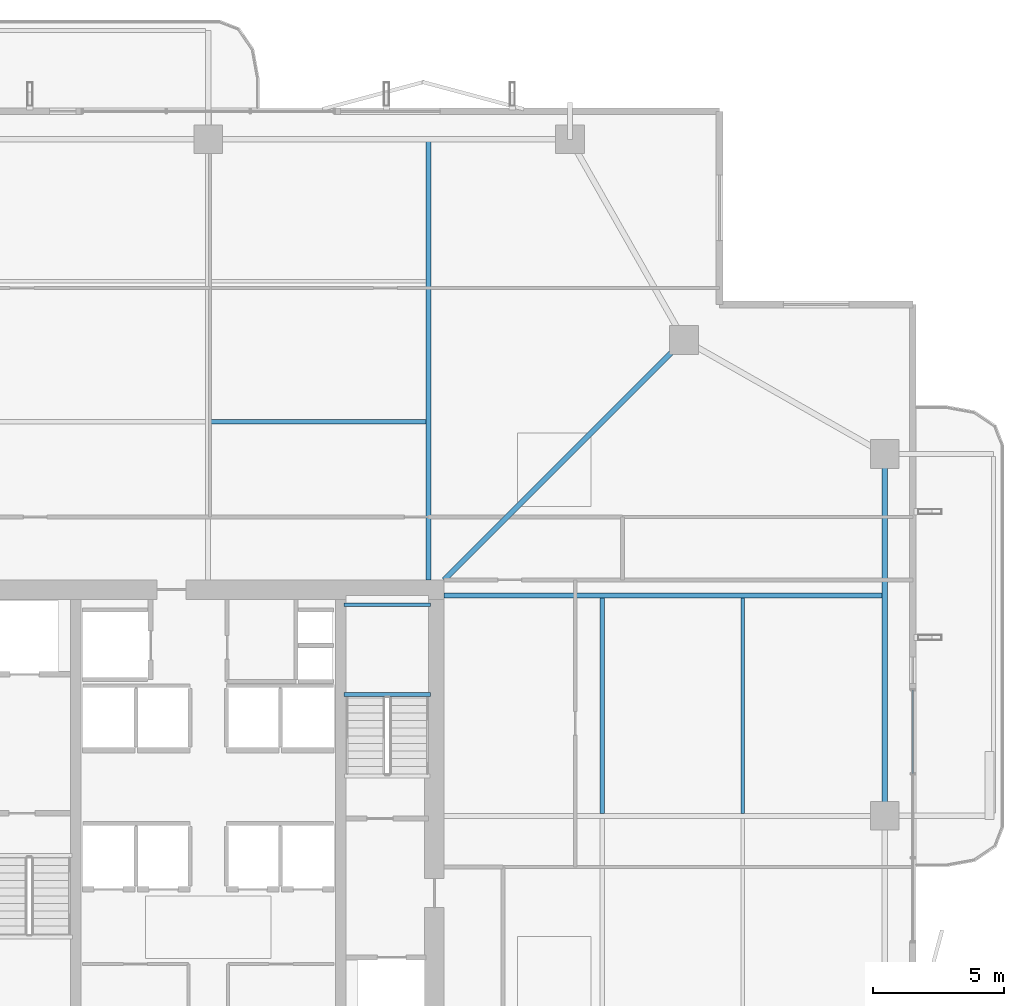
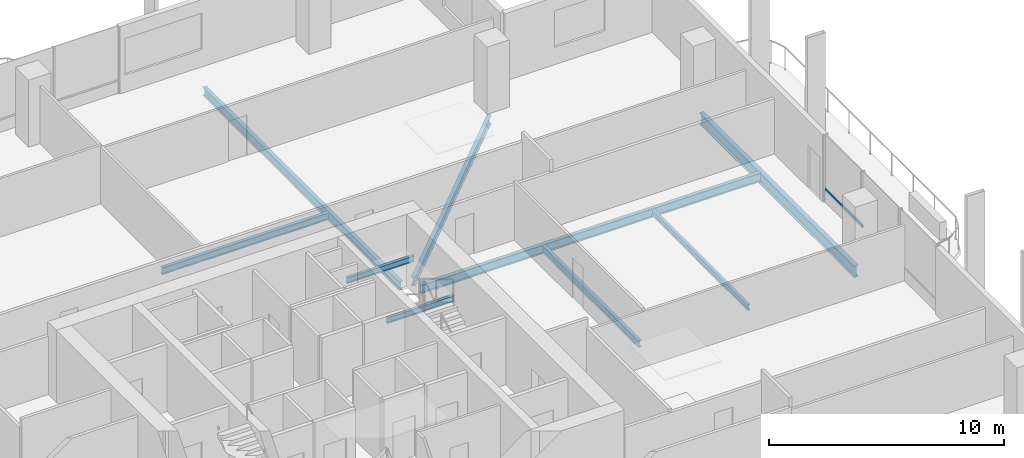
# One storey, part 12 of 24: 9 beams, 1 member, 1 element without a shape of its own.
"""IFC4 building model written with IfcOpenShell, lengths in metres."""

from ifc_helpers import new_model, si_unit, direction, frame, origin, origin_2d, place, context, subcontext, project, spatial, hollow_rectangle, i_section, extrude, material, layer, layer_set, material_profile, profile_set, type_object, element, aggregate, save


model = new_model("IFC4")

# Units and contexts
model_context = context("Model", 3, precision=1e-05, world=origin(), true_north=direction((0.0, 1.0)))
body_context = subcontext(model_context, "Body", "Model", "MODEL_VIEW")
ifc_project = project(units=[si_unit("LENGTHUNIT", "METRE"), si_unit("AREAUNIT", "SQUARE_METRE"), si_unit("VOLUMEUNIT", "CUBIC_METRE"), si_unit("PLANEANGLEUNIT", "RADIAN"), si_unit("MASSUNIT", "GRAM", prefix="KILO")], contexts=[model_context])

# Site, building, storey
site_placement = place(None, origin())
site = spatial("IfcSite", under=ifc_project, at=site_placement, CompositionType="ELEMENT")
building_placement = place(site_placement, origin())
building = spatial("IfcBuilding", under=site, at=building_placement, Name="Belovzor Exchange Tower", CompositionType="ELEMENT")
storey_placement = place(building_placement, frame((0.0, 0.0, 226.199951171875)))
storey = spatial("IfcBuildingStorey", under=building, at=storey_placement, Name="L56", CompositionType="ELEMENT", Elevation=226.199951171875)

# Beams
ifc_material_1 = material(Name="Steel S355", Category="steel")
ifc_material_profile_1 = material_profile(ifc_material_1, i_section(OverallWidth=0.169921875, OverallDepth=0.360107421875, WebThickness=0.008056640625, FlangeThickness=0.0126953125, at=origin_2d()))
ifc_profile_set_1 = profile_set([ifc_material_profile_1], Name="Steel S355")
beam_type_1 = type_object("IfcBeamType", Name="Secondary Infill Floor Joist IPE 360", PredefinedType="BEAM", material=ifc_profile_set_1)
for number, where, z_axis, x_axis, name in (
    (1, (28.89501953125, 43.827880859375, -0.429931640625), (1.0, 0.0, 0.0), (0.0, 1.0, 0.0), "FJ-360 Secondary Infill Floor Joist IPE 360"),
    (2, (43.827880859375, 28.89501953125, -0.429931640625), (0.0, 1.0, 0.0), (-1.0, 0.0, 0.0), "FJ-360 Secondary Infill Floor Joist IPE 360"),
):
    element("IfcBeam", number, at=place(storey_placement, frame(where, z_axis=z_axis, x_axis=x_axis)), inside=storey, type_object=beam_type_1, Name=name, PredefinedType="BEAM", context=body_context, shape_type="SweptSolid", body=[
        extrude(i_section(OverallWidth=0.169921875, OverallDepth=0.360107421875, WebThickness=0.008056640625, FlangeThickness=0.0126953125, at=origin_2d()), origin(), (0.0, 0.0, 1.0), 8.2099609375),
    ])
ifc_material_2 = material(Name="Steel S355", Category="steel")
ifc_material_profile_2 = material_profile(ifc_material_2, i_section(OverallWidth=0.14990234375, OverallDepth=0.300048828125, WebThickness=0.007080078125, FlangeThickness=0.0107421875, at=origin_2d()))
ifc_profile_set_2 = profile_set([ifc_material_profile_2], Name="Steel S355")
beam_type_2 = type_object("IfcBeamType", Name="Secondary Trim Floor Joist IPE 300", PredefinedType="BEAM", material=ifc_profile_set_2)
for number, where, z_axis, x_axis, name in (
    (3, (37.280029296875, 33.419921875, 1.525146484375), (-1.0, 0.0, 0.0), (0.0, -1.0, 0.0), "FJ-300 Secondary Trim Floor Joist IPE 300"),
    (4, (37.280029296875, 36.85009765625, 1.525146484375), (-1.0, 0.0, 0.0), (0.0, -1.0, 0.0), "FJ-300 Secondary Trim Floor Joist IPE 300"),
):
    element("IfcBeam", number, at=place(storey_placement, frame(where, z_axis=z_axis, x_axis=x_axis)), inside=storey, type_object=beam_type_2, Name=name, PredefinedType="BEAM", context=body_context, shape_type="SweptSolid", body=[
        extrude(i_section(OverallWidth=0.14990234375, OverallDepth=0.300048828125, WebThickness=0.007080078125, FlangeThickness=0.0107421875, at=origin_2d()), origin(), (0.0, 0.0, 1.0), 3.31005859375),
    ])
beam_1_placement = place(storey_placement, frame((49.18701171875, 28.89501953125, -0.39990234375), z_axis=(0.0, 1.0, 0.0), x_axis=(-1.0, 0.0, 0.0)))
element("IfcBeam", 5, at=beam_1_placement, inside=storey, type_object=beam_type_2, Name="FJ-300 Secondary Trim Floor Joist IPE 300", PredefinedType="BEAM", context=body_context, shape_type="SweptSolid", body=[
    extrude(i_section(OverallWidth=0.14990234375, OverallDepth=0.300048828125, WebThickness=0.007080078125, FlangeThickness=0.0107421875, at=origin_2d()), origin(), (0.0, 0.0, 1.0), 8.2099609375),
])

# Curtain wall, member
ifc_material_3 = material(Name="Anodised Aluminium Framing", Category="aluminium")
ifc_layer = layer(ifc_material_3, 0.179931640625)
ifc_layer_set = layer_set([ifc_layer], Name="Anodised Aluminium Framing")
curtain_wall_type = type_object("IfcCurtainWallType", Name="Recessed Loggia Low-Iron Triple-Glazed Curtain Wall", PredefinedType="NOTDEFINED", material=ifc_layer_set)
curtain_wall_placement = place(storey_placement, origin())
curtain_wall = element("IfcCurtainWall", 6, at=curtain_wall_placement, inside=storey, type_object=curtain_wall_type, Name="CW3 Recessed Loggia Low-Iron Triple-Glazed Curtain Wall L56", PredefinedType="NOTDEFINED")
ifc_material_4 = material(Name="Steel S355", Category="steel")
ifc_material_profile_3 = material_profile(ifc_material_4, hollow_rectangle(XDim=0.06005859375, YDim=0.14990234375, WallThickness=0.00390625, at=origin_2d()))
ifc_profile_set_3 = profile_set([ifc_material_profile_3], Name="Steel S355")
member_type = type_object("IfcMemberType", Name="Thermally Broken Curtain Wall Transom 150x60", PredefinedType="USERDEFINED", material=ifc_profile_set_3)
member_placement = place(storey_placement, frame((55.669921875, 33.592041015625, 0.630126953125), z_axis=(0.0, -1.0, 0.0), x_axis=(1.0, 0.0, 0.0)))
member = element("IfcMember", 7, at=member_placement, type_object=member_type, Name="CW-T150 Curtain Wall Transom 1", ObjectType="TRANSOM", PredefinedType="USERDEFINED", context=body_context, shape_type="SweptSolid", body=[
    extrude(hollow_rectangle(XDim=0.06005859375, YDim=0.14990234375, WallThickness=0.00390625, at=origin_2d()), origin(), (0.0, 0.0, 1.0), 3.18408203125),
])
aggregate(curtain_wall, [member])

# Beams
ifc_material_5 = material(Name="Steel S355", Category="steel")
ifc_material_profile_4 = material_profile(ifc_material_5, i_section(OverallWidth=0.18994140625, OverallDepth=0.449951171875, WebThickness=0.009521484375, FlangeThickness=0.0146484375, at=origin_2d()))
ifc_profile_set_4 = profile_set([ifc_material_profile_4], Name="Steel S355")
beam_type_3 = type_object("IfcBeamType", Name="Zone 2-4 Radial Composite Floor Beam IPE 450", PredefinedType="BEAM", material=ifc_profile_set_4)
for number, where, z_axis, x_axis, name in (
    (8, (37.199951171875, 37.800048828125, -0.474853515625), (0.0, 1.0, 0.0), (-1.0, 0.0, 0.0), "FB-450 Zone 2-4 Radial Composite Floor Beam IPE 450"),
    (9, (37.800048828125, 37.199951171875, -0.474853515625), (1.0, 0.0, 0.0), (0.0, 1.0, 0.0), "FB-450 Zone 2-4 Radial Composite Floor Beam IPE 450"),
):
    element("IfcBeam", number, at=place(storey_placement, frame(where, z_axis=z_axis, x_axis=x_axis)), inside=storey, type_object=beam_type_3, Name=name, PredefinedType="BEAM", context=body_context, shape_type="SweptSolid", body=[
        extrude(i_section(OverallWidth=0.18994140625, OverallDepth=0.449951171875, WebThickness=0.009521484375, FlangeThickness=0.0146484375, at=origin_2d()), origin(), (0.0, 0.0, 1.0), 16.744873046875),
    ])
beam_2_placement = place(storey_placement, frame((37.800048828125, 37.800048828125, -0.474853515625), z_axis=(0.707106781187, 0.707106781187, 0.0), x_axis=(-0.707106781187, 0.707106781187, 0.0)))
element("IfcBeam", 10, at=beam_2_placement, inside=storey, type_object=beam_type_3, Name="FB-450 Zone 2-4 Radial Composite Floor Beam IPE 450", PredefinedType="BEAM", context=body_context, shape_type="SweptSolid", body=[
    extrude(i_section(OverallWidth=0.18994140625, OverallDepth=0.449951171875, WebThickness=0.009521484375, FlangeThickness=0.0146484375, at=origin_2d()), origin(), (0.0, 0.0, 1.0), 12.551025390625),
])
ifc_material_6 = material(Name="Steel S355", Category="steel")
ifc_material_profile_5 = material_profile(ifc_material_6, i_section(OverallWidth=0.219970703125, OverallDepth=0.60009765625, WebThickness=0.011962890625, FlangeThickness=0.01904296875, at=origin_2d()))
ifc_profile_set_5 = profile_set([ifc_material_profile_5], Name="Steel S355")
beam_type_4 = type_object("IfcBeamType", Name="Zone 4 Flare Primary Girder IPE 600", PredefinedType="BEAM", material=ifc_profile_set_5)
beam_3_placement = place(storey_placement, frame((54.60009765625, 29.10205078125, -0.550048828125), z_axis=(0.0, 1.0, 0.0), x_axis=(-1.0, 0.0, 0.0)))
element("IfcBeam", 11, at=beam_3_placement, inside=storey, type_object=beam_type_4, Name="FG-Z4 Zone 4 Flare Primary Girder IPE 600", PredefinedType="BEAM", context=body_context, shape_type="SweptSolid", body=[
    extrude(i_section(OverallWidth=0.219970703125, OverallDepth=0.60009765625, WebThickness=0.011962890625, FlangeThickness=0.01904296875, at=origin_2d()), origin(), (0.0, 0.0, 1.0), 13.195068359375),
])

save(model, "model.ifc")
